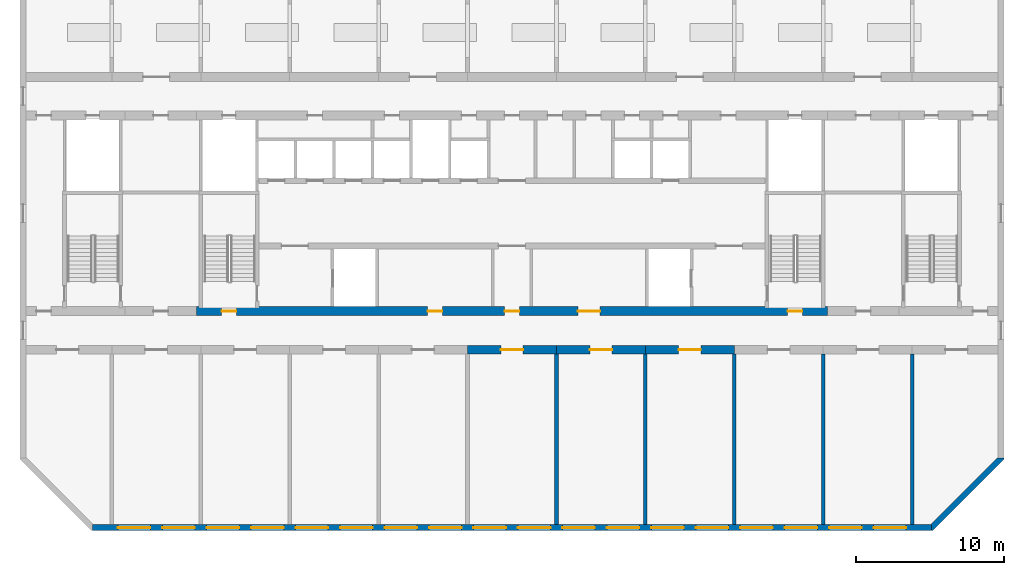
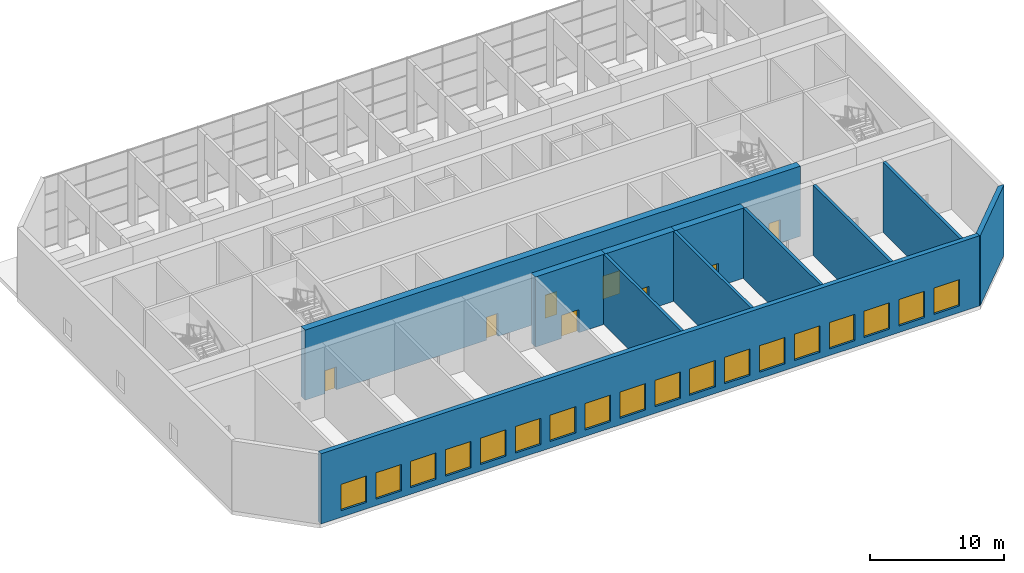
# One storey, part 7 of 13: 18 windows, 11 walls, 8 doors, 26 openings.
"""IFC4 building model written with IfcOpenShell, lengths in metres."""

from ifc_helpers import new_model, si_unit, direction, frame, frame_2d, origin, place, context, subcontext, project, spatial, polyline, rectangle, outline, extrude, material, layer, layer_set, type_object, element, fill, save


model = new_model("IFC4")

# Units and contexts
model_context = context("Model", 3, precision=1e-05, world=origin(), true_north=direction((0.0, 1.0)))
body_context = subcontext(model_context, "Body", "Model", "MODEL_VIEW")
ifc_project = project(units=[si_unit("LENGTHUNIT", "METRE"), si_unit("AREAUNIT", "SQUARE_METRE"), si_unit("VOLUMEUNIT", "CUBIC_METRE"), si_unit("PLANEANGLEUNIT", "RADIAN"), si_unit("MASSUNIT", "GRAM", prefix="KILO")], contexts=[model_context])

# Site, building, storey
site_placement = place(None, origin())
site = spatial("IfcSite", under=ifc_project, at=site_placement, CompositionType="ELEMENT")
building_placement = place(site_placement, origin())
building = spatial("IfcBuilding", under=site, at=building_placement, Name="Poui Terraces", CompositionType="ELEMENT")
storey_placement = place(building_placement, frame((0.0, 0.0, 214.800048828125)))
storey = spatial("IfcBuildingStorey", under=building, at=storey_placement, Name="L60", CompositionType="ELEMENT", Elevation=214.800048828125)

# Wall, opening, door
ifc_material_1 = material(Name="Concrete 50 MPa", Category="concrete")
ifc_layer_1 = layer(ifc_material_1, 0.60009765625)
ifc_layer_set_1 = layer_set([ifc_layer_1], Name="Concrete 50 MPa")
wall_type_1 = type_object("IfcWallType", Name="BELT WALL 600 50MPa", PredefinedType="SHEAR", material=ifc_layer_set_1)
wall_1_placement = place(storey_placement, frame((48.0, 12.0, 0.0), z_axis=(0.0, 0.0, 1.0), x_axis=(1.0, 0.0, 0.0)))
wall_1 = element("IfcWall", 1, at=wall_1_placement, inside=storey, type_object=wall_type_1, Name="BELT WALL LINE B BAY 6", PredefinedType="SHEAR", context=body_context, shape_type="SweptSolid", body=[
    extrude(rectangle(XDim=6.0, YDim=0.60009765625, at=frame_2d((3.0, 0.0))), origin(), (0.0, 0.0, 1.0), 6.3798828125),
])
opening_1_placement = place(wall_1_placement, frame((2.25, 0.0, 0.0)))
opening_1 = element("IfcOpeningElement", 2, at=opening_1_placement, cuts=wall_1, Name="Opening FDP", PredefinedType="OPENING", context=body_context, shape_type="SweptSolid", body=[
    extrude(rectangle(XDim=1.5, YDim=2.10009765625, at=frame_2d((0.75, 1.050048828125))), frame((0.0, 0.31005859375, 0.0), z_axis=(0.0, -1.0, 0.0), x_axis=(1.0, 0.0, 0.0)), (0.0, 0.0, 1.0), 0.6201171875),
])
ifc_material_2 = material(Name="Steel fire door", Category="steel")
door_type_1 = type_object("IfcDoorType", Name="PLANT ROOM DOOR PAIR 1500 X 2100", OperationType="DOUBLE_DOOR_SINGLE_SWING", PredefinedType="DOOR", material=ifc_material_2)
door_1_placement = place(opening_1_placement, origin())
door_1 = element("IfcDoor", 3, at=door_1_placement, inside=storey, type_object=door_type_1, Name="PLANT ROOM DOOR PAIR 031", OperationType="DOUBLE_DOOR_SINGLE_SWING", OverallHeight=2.10009765625, OverallWidth=1.5, PredefinedType="DOOR", context=body_context, shape_type="SweptSolid", body=[
    extrude(rectangle(XDim=1.5, YDim=2.10009765625, at=frame_2d((0.75, 1.050048828125))), frame((0.0, 0.02490234375, 0.0), z_axis=(0.0, -1.0, 0.0), x_axis=(1.0, 0.0, 0.0)), (0.0, 0.0, 1.0), 0.050048828125),
])
fill(opening_1, door_1)

wall_2_placement = place(storey_placement, frame((54.0, 12.0, 0.0), z_axis=(0.0, 0.0, 1.0), x_axis=(1.0, 0.0, 0.0)))
wall_2 = element("IfcWall", 4, at=wall_2_placement, inside=storey, type_object=wall_type_1, Name="BELT WALL LINE B BAY 7", PredefinedType="SHEAR", context=body_context, shape_type="SweptSolid", body=[
    extrude(rectangle(XDim=6.0, YDim=0.60009765625, at=frame_2d((3.0, 0.0))), origin(), (0.0, 0.0, 1.0), 6.3798828125),
])
opening_2_placement = place(wall_2_placement, frame((2.25, 0.0, 0.0)))
opening_2 = element("IfcOpeningElement", 5, at=opening_2_placement, cuts=wall_2, Name="Opening FDP", PredefinedType="OPENING", context=body_context, shape_type="SweptSolid", body=[
    extrude(rectangle(XDim=1.5, YDim=2.10009765625, at=frame_2d((0.75, 1.050048828125))), frame((0.0, 0.31005859375, 0.0), z_axis=(0.0, -1.0, 0.0), x_axis=(1.0, 0.0, 0.0)), (0.0, 0.0, 1.0), 0.6201171875),
])
door_2_placement = place(opening_2_placement, origin())
door_2 = element("IfcDoor", 6, at=door_2_placement, inside=storey, type_object=door_type_1, Name="PLANT ROOM DOOR PAIR 034", OperationType="DOUBLE_DOOR_SINGLE_SWING", OverallHeight=2.10009765625, OverallWidth=1.5, PredefinedType="DOOR", context=body_context, shape_type="SweptSolid", body=[
    extrude(rectangle(XDim=1.5, YDim=2.10009765625, at=frame_2d((0.75, 1.050048828125))), frame((0.0, 0.02490234375, 0.0), z_axis=(0.0, -1.0, 0.0), x_axis=(1.0, 0.0, 0.0)), (0.0, 0.0, 1.0), 0.050048828125),
])
fill(opening_2, door_2)

wall_3_placement = place(storey_placement, frame((60.0, 12.0, 0.0), z_axis=(0.0, 0.0, 1.0), x_axis=(1.0, 0.0, 0.0)))
wall_3 = element("IfcWall", 7, at=wall_3_placement, inside=storey, type_object=wall_type_1, Name="BELT WALL LINE B BAY 8", PredefinedType="SHEAR", context=body_context, shape_type="SweptSolid", body=[
    extrude(rectangle(XDim=6.0, YDim=0.60009765625, at=frame_2d((3.0, 0.0))), origin(), (0.0, 0.0, 1.0), 6.3798828125),
])
opening_3_placement = place(wall_3_placement, frame((2.25, 0.0, 0.0)))
opening_3 = element("IfcOpeningElement", 8, at=opening_3_placement, cuts=wall_3, Name="Opening FDP", PredefinedType="OPENING", context=body_context, shape_type="SweptSolid", body=[
    extrude(rectangle(XDim=1.5, YDim=2.10009765625, at=frame_2d((0.75, 1.050048828125))), frame((0.0, 0.31005859375, 0.0), z_axis=(0.0, -1.0, 0.0), x_axis=(1.0, 0.0, 0.0)), (0.0, 0.0, 1.0), 0.6201171875),
])
door_3_placement = place(opening_3_placement, origin())
door_3 = element("IfcDoor", 9, at=door_3_placement, inside=storey, type_object=door_type_1, Name="PLANT ROOM DOOR PAIR 035", OperationType="DOUBLE_DOOR_SINGLE_SWING", OverallHeight=2.10009765625, OverallWidth=1.5, PredefinedType="DOOR", context=body_context, shape_type="SweptSolid", body=[
    extrude(rectangle(XDim=1.5, YDim=2.10009765625, at=frame_2d((0.75, 1.050048828125))), frame((0.0, 0.02490234375, 0.0), z_axis=(0.0, -1.0, 0.0), x_axis=(1.0, 0.0, 0.0)), (0.0, 0.0, 1.0), 0.050048828125),
])
fill(opening_3, door_3)

# Walls
ifc_layer_2 = layer(ifc_material_1, 0.25)
ifc_layer_set_2 = layer_set([ifc_layer_2], Name="Concrete 50 MPa")
wall_type_2 = type_object("IfcWallType", Name="CROSS WALL 250 50MPa", PredefinedType="SHEAR", material=ifc_layer_set_2)
for number, where, z_axis, x_axis, name in (
    (10, (54.0, 0.199951171875, 0.0), (0.0, 0.0, 1.0), (0.0, 1.0, 0.0), "CROSS WALL LINE 10 SOUTH"),
    (11, (60.0, 0.199951171875, 0.0), (0.0, 0.0, 1.0), (0.0, 1.0, 0.0), "CROSS WALL LINE 11 SOUTH"),
    (12, (66.0, 0.199951171875, 0.0), (0.0, 0.0, 1.0), (0.0, 1.0, 0.0), "CROSS WALL LINE 12 SOUTH"),
    (13, (72.0, 0.199951171875, 0.0), (0.0, 0.0, 1.0), (0.0, 1.0, 0.0), "CROSS WALL LINE 13 SOUTH"),
    (14, (78.0, 0.199951171875, 0.0), (0.0, 0.0, 1.0), (0.0, 1.0, 0.0), "CROSS WALL LINE 14 SOUTH"),
):
    element("IfcWall", number, at=place(storey_placement, frame(where, z_axis=z_axis, x_axis=x_axis)), inside=storey, type_object=wall_type_2, Name=name, PredefinedType="SHEAR", context=body_context, shape_type="SweptSolid", body=[
        extrude(rectangle(XDim=11.5, YDim=0.25, at=frame_2d((5.75, 0.0))), origin(), (0.0, 0.0, 1.0), 6.3798828125),
    ])

# Wall, openings, windows
ifc_material_3 = material(Name="Precast concrete 40 MPa", Category="concrete")
ifc_layer_3 = layer(ifc_material_3, 0.39990234375)
ifc_layer_set_3 = layer_set([ifc_layer_3], Name="Precast concrete 40 MPa")
wall_type_3 = type_object("IfcWallType", Name="EXTERNAL WALL 400", PredefinedType="STANDARD", material=ifc_layer_set_3)
wall_4_placement = place(storey_placement, frame((22.682861328125, 0.0, 0.0), z_axis=(0.0, 0.0, 1.0), x_axis=(1.0, 0.0, 0.0)))
wall_4 = element("IfcWall", 15, at=wall_4_placement, inside=storey, type_object=wall_type_3, Name="EXTERNAL WALL S", PredefinedType="STANDARD", context=body_context, shape_type="SweptSolid", body=[
    extrude(rectangle(XDim=56.63427734375, YDim=0.39990234375, at=frame_2d((28.317138671875, 0.0))), origin(), (0.0, 0.0, 1.0), 6.3798828125),
])
opening_4_placement = place(wall_4_placement, frame((1.71728515625, 0.0, 0.60009765625)))
opening_4 = element("IfcOpeningElement", 16, at=opening_4_placement, cuts=wall_4, Name="Opening W5", PredefinedType="OPENING", context=body_context, shape_type="SweptSolid", body=[
    extrude(rectangle(XDim=2.199951171875, YDim=2.39990234375, at=frame_2d((1.10009765625, 1.199951171875))), frame((0.0, 0.2099609375, 0.0), z_axis=(0.0, -1.0, 0.0), x_axis=(1.0, 0.0, 0.0)), (0.0, 0.0, 1.0), 0.419921875),
])
opening_5_placement = place(wall_4_placement, frame((4.71728515625, 0.0, 0.60009765625)))
opening_5 = element("IfcOpeningElement", 17, at=opening_5_placement, cuts=wall_4, Name="Opening W5", PredefinedType="OPENING", context=body_context, shape_type="SweptSolid", body=[
    extrude(rectangle(XDim=2.199951171875, YDim=2.39990234375, at=frame_2d((1.10009765625, 1.199951171875))), frame((0.0, 0.2099609375, 0.0), z_axis=(0.0, -1.0, 0.0), x_axis=(1.0, 0.0, 0.0)), (0.0, 0.0, 1.0), 0.419921875),
])
opening_6_placement = place(wall_4_placement, frame((7.71728515625, 0.0, 0.60009765625)))
opening_6 = element("IfcOpeningElement", 18, at=opening_6_placement, cuts=wall_4, Name="Opening W5", PredefinedType="OPENING", context=body_context, shape_type="SweptSolid", body=[
    extrude(rectangle(XDim=2.199951171875, YDim=2.39990234375, at=frame_2d((1.10009765625, 1.199951171875))), frame((0.0, 0.2099609375, 0.0), z_axis=(0.0, -1.0, 0.0), x_axis=(1.0, 0.0, 0.0)), (0.0, 0.0, 1.0), 0.419921875),
])
opening_7_placement = place(wall_4_placement, frame((10.71728515625, 0.0, 0.60009765625)))
opening_7 = element("IfcOpeningElement", 19, at=opening_7_placement, cuts=wall_4, Name="Opening W5", PredefinedType="OPENING", context=body_context, shape_type="SweptSolid", body=[
    extrude(rectangle(XDim=2.199951171875, YDim=2.39990234375, at=frame_2d((1.10009765625, 1.199951171875))), frame((0.0, 0.2099609375, 0.0), z_axis=(0.0, -1.0, 0.0), x_axis=(1.0, 0.0, 0.0)), (0.0, 0.0, 1.0), 0.419921875),
])
opening_8_placement = place(wall_4_placement, frame((13.71728515625, 0.0, 0.60009765625)))
opening_8 = element("IfcOpeningElement", 20, at=opening_8_placement, cuts=wall_4, Name="Opening W5", PredefinedType="OPENING", context=body_context, shape_type="SweptSolid", body=[
    extrude(rectangle(XDim=2.199951171875, YDim=2.39990234375, at=frame_2d((1.10009765625, 1.199951171875))), frame((0.0, 0.2099609375, 0.0), z_axis=(0.0, -1.0, 0.0), x_axis=(1.0, 0.0, 0.0)), (0.0, 0.0, 1.0), 0.419921875),
])
opening_9_placement = place(wall_4_placement, frame((16.71728515625, 0.0, 0.60009765625)))
opening_9 = element("IfcOpeningElement", 21, at=opening_9_placement, cuts=wall_4, Name="Opening W5", PredefinedType="OPENING", context=body_context, shape_type="SweptSolid", body=[
    extrude(rectangle(XDim=2.199951171875, YDim=2.39990234375, at=frame_2d((1.10009765625, 1.199951171875))), frame((0.0, 0.2099609375, 0.0), z_axis=(0.0, -1.0, 0.0), x_axis=(1.0, 0.0, 0.0)), (0.0, 0.0, 1.0), 0.419921875),
])
opening_10_placement = place(wall_4_placement, frame((19.71728515625, 0.0, 0.60009765625)))
opening_10 = element("IfcOpeningElement", 22, at=opening_10_placement, cuts=wall_4, Name="Opening W5", PredefinedType="OPENING", context=body_context, shape_type="SweptSolid", body=[
    extrude(rectangle(XDim=2.199951171875, YDim=2.39990234375, at=frame_2d((1.10009765625, 1.199951171875))), frame((0.0, 0.2099609375, 0.0), z_axis=(0.0, -1.0, 0.0), x_axis=(1.0, 0.0, 0.0)), (0.0, 0.0, 1.0), 0.419921875),
])
opening_11_placement = place(wall_4_placement, frame((22.71728515625, 0.0, 0.60009765625)))
opening_11 = element("IfcOpeningElement", 23, at=opening_11_placement, cuts=wall_4, Name="Opening W5", PredefinedType="OPENING", context=body_context, shape_type="SweptSolid", body=[
    extrude(rectangle(XDim=2.199951171875, YDim=2.39990234375, at=frame_2d((1.10009765625, 1.199951171875))), frame((0.0, 0.2099609375, 0.0), z_axis=(0.0, -1.0, 0.0), x_axis=(1.0, 0.0, 0.0)), (0.0, 0.0, 1.0), 0.419921875),
])
opening_12_placement = place(wall_4_placement, frame((25.71728515625, 0.0, 0.60009765625)))
opening_12 = element("IfcOpeningElement", 24, at=opening_12_placement, cuts=wall_4, Name="Opening W5", PredefinedType="OPENING", context=body_context, shape_type="SweptSolid", body=[
    extrude(rectangle(XDim=2.199951171875, YDim=2.39990234375, at=frame_2d((1.10009765625, 1.199951171875))), frame((0.0, 0.2099609375, 0.0), z_axis=(0.0, -1.0, 0.0), x_axis=(1.0, 0.0, 0.0)), (0.0, 0.0, 1.0), 0.419921875),
])
opening_13_placement = place(wall_4_placement, frame((28.71728515625, 0.0, 0.60009765625)))
opening_13 = element("IfcOpeningElement", 25, at=opening_13_placement, cuts=wall_4, Name="Opening W5", PredefinedType="OPENING", context=body_context, shape_type="SweptSolid", body=[
    extrude(rectangle(XDim=2.199951171875, YDim=2.39990234375, at=frame_2d((1.10009765625, 1.199951171875))), frame((0.0, 0.2099609375, 0.0), z_axis=(0.0, -1.0, 0.0), x_axis=(1.0, 0.0, 0.0)), (0.0, 0.0, 1.0), 0.419921875),
])
opening_14_placement = place(wall_4_placement, frame((31.71728515625, 0.0, 0.60009765625)))
opening_14 = element("IfcOpeningElement", 26, at=opening_14_placement, cuts=wall_4, Name="Opening W5", PredefinedType="OPENING", context=body_context, shape_type="SweptSolid", body=[
    extrude(rectangle(XDim=2.199951171875, YDim=2.39990234375, at=frame_2d((1.10009765625, 1.199951171875))), frame((0.0, 0.2099609375, 0.0), z_axis=(0.0, -1.0, 0.0), x_axis=(1.0, 0.0, 0.0)), (0.0, 0.0, 1.0), 0.419921875),
])
opening_15_placement = place(wall_4_placement, frame((34.71728515625, 0.0, 0.60009765625)))
opening_15 = element("IfcOpeningElement", 27, at=opening_15_placement, cuts=wall_4, Name="Opening W5", PredefinedType="OPENING", context=body_context, shape_type="SweptSolid", body=[
    extrude(rectangle(XDim=2.199951171875, YDim=2.39990234375, at=frame_2d((1.10009765625, 1.199951171875))), frame((0.0, 0.2099609375, 0.0), z_axis=(0.0, -1.0, 0.0), x_axis=(1.0, 0.0, 0.0)), (0.0, 0.0, 1.0), 0.419921875),
])
opening_16_placement = place(wall_4_placement, frame((37.71728515625, 0.0, 0.60009765625)))
opening_16 = element("IfcOpeningElement", 28, at=opening_16_placement, cuts=wall_4, Name="Opening W5", PredefinedType="OPENING", context=body_context, shape_type="SweptSolid", body=[
    extrude(rectangle(XDim=2.199951171875, YDim=2.39990234375, at=frame_2d((1.10009765625, 1.199951171875))), frame((0.0, 0.2099609375, 0.0), z_axis=(0.0, -1.0, 0.0), x_axis=(1.0, 0.0, 0.0)), (0.0, 0.0, 1.0), 0.419921875),
])
opening_17_placement = place(wall_4_placement, frame((40.71728515625, 0.0, 0.60009765625)))
opening_17 = element("IfcOpeningElement", 29, at=opening_17_placement, cuts=wall_4, Name="Opening W5", PredefinedType="OPENING", context=body_context, shape_type="SweptSolid", body=[
    extrude(rectangle(XDim=2.199951171875, YDim=2.39990234375, at=frame_2d((1.10009765625, 1.199951171875))), frame((0.0, 0.2099609375, 0.0), z_axis=(0.0, -1.0, 0.0), x_axis=(1.0, 0.0, 0.0)), (0.0, 0.0, 1.0), 0.419921875),
])
opening_18_placement = place(wall_4_placement, frame((43.71728515625, 0.0, 0.60009765625)))
opening_18 = element("IfcOpeningElement", 30, at=opening_18_placement, cuts=wall_4, Name="Opening W5", PredefinedType="OPENING", context=body_context, shape_type="SweptSolid", body=[
    extrude(rectangle(XDim=2.199951171875, YDim=2.39990234375, at=frame_2d((1.10009765625, 1.199951171875))), frame((0.0, 0.2099609375, 0.0), z_axis=(0.0, -1.0, 0.0), x_axis=(1.0, 0.0, 0.0)), (0.0, 0.0, 1.0), 0.419921875),
])
opening_19_placement = place(wall_4_placement, frame((46.71728515625, 0.0, 0.60009765625)))
opening_19 = element("IfcOpeningElement", 31, at=opening_19_placement, cuts=wall_4, Name="Opening W5", PredefinedType="OPENING", context=body_context, shape_type="SweptSolid", body=[
    extrude(rectangle(XDim=2.199951171875, YDim=2.39990234375, at=frame_2d((1.10009765625, 1.199951171875))), frame((0.0, 0.2099609375, 0.0), z_axis=(0.0, -1.0, 0.0), x_axis=(1.0, 0.0, 0.0)), (0.0, 0.0, 1.0), 0.419921875),
])
opening_20_placement = place(wall_4_placement, frame((49.71728515625, 0.0, 0.60009765625)))
opening_20 = element("IfcOpeningElement", 32, at=opening_20_placement, cuts=wall_4, Name="Opening W5", PredefinedType="OPENING", context=body_context, shape_type="SweptSolid", body=[
    extrude(rectangle(XDim=2.199951171875, YDim=2.39990234375, at=frame_2d((1.10009765625, 1.199951171875))), frame((0.0, 0.2099609375, 0.0), z_axis=(0.0, -1.0, 0.0), x_axis=(1.0, 0.0, 0.0)), (0.0, 0.0, 1.0), 0.419921875),
])
opening_21_placement = place(wall_4_placement, frame((52.71728515625, 0.0, 0.60009765625)))
opening_21 = element("IfcOpeningElement", 33, at=opening_21_placement, cuts=wall_4, Name="Opening W5", PredefinedType="OPENING", context=body_context, shape_type="SweptSolid", body=[
    extrude(rectangle(XDim=2.199951171875, YDim=2.39990234375, at=frame_2d((1.10009765625, 1.199951171875))), frame((0.0, 0.2099609375, 0.0), z_axis=(0.0, -1.0, 0.0), x_axis=(1.0, 0.0, 0.0)), (0.0, 0.0, 1.0), 0.419921875),
])
ifc_material_4 = material(Name="Clear glass in aluminium frame", Category="aluminium")
window_type = type_object("IfcWindowType", Name="WINDOW 2200X2400", PartitioningType="TRIPLE_PANEL_HORIZONTAL", PredefinedType="WINDOW", material=ifc_material_4)
window_1_placement = place(opening_4_placement, origin())
window_1 = element("IfcWindow", 34, at=window_1_placement, inside=storey, type_object=window_type, Name="W5 WINDOW", OverallHeight=2.39990234375, OverallWidth=2.199951171875, PartitioningType="TRIPLE_PANEL_HORIZONTAL", PredefinedType="WINDOW", context=body_context, shape_type="SweptSolid", body=[
    extrude(rectangle(XDim=2.199951171875, YDim=2.39990234375, at=frame_2d((1.10009765625, 1.199951171875))), frame((0.0, 0.030029296875, 0.0), z_axis=(0.0, -1.0, 0.0), x_axis=(1.0, 0.0, 0.0)), (0.0, 0.0, 1.0), 0.06005859375),
])
fill(opening_4, window_1)
window_2_placement = place(opening_5_placement, origin())
window_2 = element("IfcWindow", 35, at=window_2_placement, inside=storey, type_object=window_type, Name="W5 WINDOW", OverallHeight=2.39990234375, OverallWidth=2.199951171875, PartitioningType="TRIPLE_PANEL_HORIZONTAL", PredefinedType="WINDOW", context=body_context, shape_type="SweptSolid", body=[
    extrude(rectangle(XDim=2.199951171875, YDim=2.39990234375, at=frame_2d((1.10009765625, 1.199951171875))), frame((0.0, 0.030029296875, 0.0), z_axis=(0.0, -1.0, 0.0), x_axis=(1.0, 0.0, 0.0)), (0.0, 0.0, 1.0), 0.06005859375),
])
fill(opening_5, window_2)
window_3_placement = place(opening_6_placement, origin())
window_3 = element("IfcWindow", 36, at=window_3_placement, inside=storey, type_object=window_type, Name="W5 WINDOW", OverallHeight=2.39990234375, OverallWidth=2.199951171875, PartitioningType="TRIPLE_PANEL_HORIZONTAL", PredefinedType="WINDOW", context=body_context, shape_type="SweptSolid", body=[
    extrude(rectangle(XDim=2.199951171875, YDim=2.39990234375, at=frame_2d((1.10009765625, 1.199951171875))), frame((0.0, 0.030029296875, 0.0), z_axis=(0.0, -1.0, 0.0), x_axis=(1.0, 0.0, 0.0)), (0.0, 0.0, 1.0), 0.06005859375),
])
fill(opening_6, window_3)
window_4_placement = place(opening_7_placement, origin())
window_4 = element("IfcWindow", 37, at=window_4_placement, inside=storey, type_object=window_type, Name="W5 WINDOW", OverallHeight=2.39990234375, OverallWidth=2.199951171875, PartitioningType="TRIPLE_PANEL_HORIZONTAL", PredefinedType="WINDOW", context=body_context, shape_type="SweptSolid", body=[
    extrude(rectangle(XDim=2.199951171875, YDim=2.39990234375, at=frame_2d((1.10009765625, 1.199951171875))), frame((0.0, 0.030029296875, 0.0), z_axis=(0.0, -1.0, 0.0), x_axis=(1.0, 0.0, 0.0)), (0.0, 0.0, 1.0), 0.06005859375),
])
fill(opening_7, window_4)
window_5_placement = place(opening_8_placement, origin())
window_5 = element("IfcWindow", 38, at=window_5_placement, inside=storey, type_object=window_type, Name="W5 WINDOW", OverallHeight=2.39990234375, OverallWidth=2.199951171875, PartitioningType="TRIPLE_PANEL_HORIZONTAL", PredefinedType="WINDOW", context=body_context, shape_type="SweptSolid", body=[
    extrude(rectangle(XDim=2.199951171875, YDim=2.39990234375, at=frame_2d((1.10009765625, 1.199951171875))), frame((0.0, 0.030029296875, 0.0), z_axis=(0.0, -1.0, 0.0), x_axis=(1.0, 0.0, 0.0)), (0.0, 0.0, 1.0), 0.06005859375),
])
fill(opening_8, window_5)
window_6_placement = place(opening_9_placement, origin())
window_6 = element("IfcWindow", 39, at=window_6_placement, inside=storey, type_object=window_type, Name="W5 WINDOW", OverallHeight=2.39990234375, OverallWidth=2.199951171875, PartitioningType="TRIPLE_PANEL_HORIZONTAL", PredefinedType="WINDOW", context=body_context, shape_type="SweptSolid", body=[
    extrude(rectangle(XDim=2.199951171875, YDim=2.39990234375, at=frame_2d((1.10009765625, 1.199951171875))), frame((0.0, 0.030029296875, 0.0), z_axis=(0.0, -1.0, 0.0), x_axis=(1.0, 0.0, 0.0)), (0.0, 0.0, 1.0), 0.06005859375),
])
fill(opening_9, window_6)
window_7_placement = place(opening_10_placement, origin())
window_7 = element("IfcWindow", 40, at=window_7_placement, inside=storey, type_object=window_type, Name="W5 WINDOW", OverallHeight=2.39990234375, OverallWidth=2.199951171875, PartitioningType="TRIPLE_PANEL_HORIZONTAL", PredefinedType="WINDOW", context=body_context, shape_type="SweptSolid", body=[
    extrude(rectangle(XDim=2.199951171875, YDim=2.39990234375, at=frame_2d((1.10009765625, 1.199951171875))), frame((0.0, 0.030029296875, 0.0), z_axis=(0.0, -1.0, 0.0), x_axis=(1.0, 0.0, 0.0)), (0.0, 0.0, 1.0), 0.06005859375),
])
fill(opening_10, window_7)
window_8_placement = place(opening_11_placement, origin())
window_8 = element("IfcWindow", 41, at=window_8_placement, inside=storey, type_object=window_type, Name="W5 WINDOW", OverallHeight=2.39990234375, OverallWidth=2.199951171875, PartitioningType="TRIPLE_PANEL_HORIZONTAL", PredefinedType="WINDOW", context=body_context, shape_type="SweptSolid", body=[
    extrude(rectangle(XDim=2.199951171875, YDim=2.39990234375, at=frame_2d((1.10009765625, 1.199951171875))), frame((0.0, 0.030029296875, 0.0), z_axis=(0.0, -1.0, 0.0), x_axis=(1.0, 0.0, 0.0)), (0.0, 0.0, 1.0), 0.06005859375),
])
fill(opening_11, window_8)
window_9_placement = place(opening_12_placement, origin())
window_9 = element("IfcWindow", 42, at=window_9_placement, inside=storey, type_object=window_type, Name="W5 WINDOW", OverallHeight=2.39990234375, OverallWidth=2.199951171875, PartitioningType="TRIPLE_PANEL_HORIZONTAL", PredefinedType="WINDOW", context=body_context, shape_type="SweptSolid", body=[
    extrude(rectangle(XDim=2.199951171875, YDim=2.39990234375, at=frame_2d((1.10009765625, 1.199951171875))), frame((0.0, 0.030029296875, 0.0), z_axis=(0.0, -1.0, 0.0), x_axis=(1.0, 0.0, 0.0)), (0.0, 0.0, 1.0), 0.06005859375),
])
fill(opening_12, window_9)
window_10_placement = place(opening_13_placement, origin())
window_10 = element("IfcWindow", 43, at=window_10_placement, inside=storey, type_object=window_type, Name="W5 WINDOW", OverallHeight=2.39990234375, OverallWidth=2.199951171875, PartitioningType="TRIPLE_PANEL_HORIZONTAL", PredefinedType="WINDOW", context=body_context, shape_type="SweptSolid", body=[
    extrude(rectangle(XDim=2.199951171875, YDim=2.39990234375, at=frame_2d((1.10009765625, 1.199951171875))), frame((0.0, 0.030029296875, 0.0), z_axis=(0.0, -1.0, 0.0), x_axis=(1.0, 0.0, 0.0)), (0.0, 0.0, 1.0), 0.06005859375),
])
fill(opening_13, window_10)
window_11_placement = place(opening_14_placement, origin())
window_11 = element("IfcWindow", 44, at=window_11_placement, inside=storey, type_object=window_type, Name="W5 WINDOW", OverallHeight=2.39990234375, OverallWidth=2.199951171875, PartitioningType="TRIPLE_PANEL_HORIZONTAL", PredefinedType="WINDOW", context=body_context, shape_type="SweptSolid", body=[
    extrude(rectangle(XDim=2.199951171875, YDim=2.39990234375, at=frame_2d((1.10009765625, 1.199951171875))), frame((0.0, 0.030029296875, 0.0), z_axis=(0.0, -1.0, 0.0), x_axis=(1.0, 0.0, 0.0)), (0.0, 0.0, 1.0), 0.06005859375),
])
fill(opening_14, window_11)
window_12_placement = place(opening_15_placement, origin())
window_12 = element("IfcWindow", 45, at=window_12_placement, inside=storey, type_object=window_type, Name="W5 WINDOW", OverallHeight=2.39990234375, OverallWidth=2.199951171875, PartitioningType="TRIPLE_PANEL_HORIZONTAL", PredefinedType="WINDOW", context=body_context, shape_type="SweptSolid", body=[
    extrude(rectangle(XDim=2.199951171875, YDim=2.39990234375, at=frame_2d((1.10009765625, 1.199951171875))), frame((0.0, 0.030029296875, 0.0), z_axis=(0.0, -1.0, 0.0), x_axis=(1.0, 0.0, 0.0)), (0.0, 0.0, 1.0), 0.06005859375),
])
fill(opening_15, window_12)
window_13_placement = place(opening_16_placement, origin())
window_13 = element("IfcWindow", 46, at=window_13_placement, inside=storey, type_object=window_type, Name="W5 WINDOW", OverallHeight=2.39990234375, OverallWidth=2.199951171875, PartitioningType="TRIPLE_PANEL_HORIZONTAL", PredefinedType="WINDOW", context=body_context, shape_type="SweptSolid", body=[
    extrude(rectangle(XDim=2.199951171875, YDim=2.39990234375, at=frame_2d((1.10009765625, 1.199951171875))), frame((0.0, 0.030029296875, 0.0), z_axis=(0.0, -1.0, 0.0), x_axis=(1.0, 0.0, 0.0)), (0.0, 0.0, 1.0), 0.06005859375),
])
fill(opening_16, window_13)
window_14_placement = place(opening_17_placement, origin())
window_14 = element("IfcWindow", 47, at=window_14_placement, inside=storey, type_object=window_type, Name="W5 WINDOW", OverallHeight=2.39990234375, OverallWidth=2.199951171875, PartitioningType="TRIPLE_PANEL_HORIZONTAL", PredefinedType="WINDOW", context=body_context, shape_type="SweptSolid", body=[
    extrude(rectangle(XDim=2.199951171875, YDim=2.39990234375, at=frame_2d((1.10009765625, 1.199951171875))), frame((0.0, 0.030029296875, 0.0), z_axis=(0.0, -1.0, 0.0), x_axis=(1.0, 0.0, 0.0)), (0.0, 0.0, 1.0), 0.06005859375),
])
fill(opening_17, window_14)
window_15_placement = place(opening_18_placement, origin())
window_15 = element("IfcWindow", 48, at=window_15_placement, inside=storey, type_object=window_type, Name="W5 WINDOW", OverallHeight=2.39990234375, OverallWidth=2.199951171875, PartitioningType="TRIPLE_PANEL_HORIZONTAL", PredefinedType="WINDOW", context=body_context, shape_type="SweptSolid", body=[
    extrude(rectangle(XDim=2.199951171875, YDim=2.39990234375, at=frame_2d((1.10009765625, 1.199951171875))), frame((0.0, 0.030029296875, 0.0), z_axis=(0.0, -1.0, 0.0), x_axis=(1.0, 0.0, 0.0)), (0.0, 0.0, 1.0), 0.06005859375),
])
fill(opening_18, window_15)
window_16_placement = place(opening_19_placement, origin())
window_16 = element("IfcWindow", 49, at=window_16_placement, inside=storey, type_object=window_type, Name="W5 WINDOW", OverallHeight=2.39990234375, OverallWidth=2.199951171875, PartitioningType="TRIPLE_PANEL_HORIZONTAL", PredefinedType="WINDOW", context=body_context, shape_type="SweptSolid", body=[
    extrude(rectangle(XDim=2.199951171875, YDim=2.39990234375, at=frame_2d((1.10009765625, 1.199951171875))), frame((0.0, 0.030029296875, 0.0), z_axis=(0.0, -1.0, 0.0), x_axis=(1.0, 0.0, 0.0)), (0.0, 0.0, 1.0), 0.06005859375),
])
fill(opening_19, window_16)
window_17_placement = place(opening_20_placement, origin())
window_17 = element("IfcWindow", 50, at=window_17_placement, inside=storey, type_object=window_type, Name="W5 WINDOW", OverallHeight=2.39990234375, OverallWidth=2.199951171875, PartitioningType="TRIPLE_PANEL_HORIZONTAL", PredefinedType="WINDOW", context=body_context, shape_type="SweptSolid", body=[
    extrude(rectangle(XDim=2.199951171875, YDim=2.39990234375, at=frame_2d((1.10009765625, 1.199951171875))), frame((0.0, 0.030029296875, 0.0), z_axis=(0.0, -1.0, 0.0), x_axis=(1.0, 0.0, 0.0)), (0.0, 0.0, 1.0), 0.06005859375),
])
fill(opening_20, window_17)
window_18_placement = place(opening_21_placement, origin())
window_18 = element("IfcWindow", 51, at=window_18_placement, inside=storey, type_object=window_type, Name="W5 WINDOW", OverallHeight=2.39990234375, OverallWidth=2.199951171875, PartitioningType="TRIPLE_PANEL_HORIZONTAL", PredefinedType="WINDOW", context=body_context, shape_type="SweptSolid", body=[
    extrude(rectangle(XDim=2.199951171875, YDim=2.39990234375, at=frame_2d((1.10009765625, 1.199951171875))), frame((0.0, 0.030029296875, 0.0), z_axis=(0.0, -1.0, 0.0), x_axis=(1.0, 0.0, 0.0)), (0.0, 0.0, 1.0), 0.06005859375),
])
fill(opening_21, window_18)

# Wall, openings, doors
ifc_layer_4 = layer(ifc_material_1, 0.60009765625)
ifc_layer_set_4 = layer_set([ifc_layer_4], Name="Concrete 50 MPa")
wall_type_4 = type_object("IfcWallType", Name="SPINE WALL 600 50 MPA", PredefinedType="SOLIDWALL", material=ifc_layer_set_4)
wall_5_placement = place(storey_placement, frame((29.699951171875, 14.60009765625, 0.0), z_axis=(0.0, 0.0, 1.0), x_axis=(1.0, 0.0, 0.0)))
wall_5 = element("IfcWall", 52, at=wall_5_placement, inside=storey, type_object=wall_type_4, Name="SPINE WALL", PredefinedType="SOLIDWALL", context=body_context, shape_type="SweptSolid", body=[
    extrude(rectangle(XDim=42.60009765625, YDim=0.60009765625, at=frame_2d((21.300048828125, 0.0))), origin(), (0.0, 0.0, 1.0), 6.3798828125),
])
opening_22_placement = place(wall_5_placement, frame((1.699951171875, 0.0, 0.0)))
opening_22 = element("IfcOpeningElement", 53, at=opening_22_placement, cuts=wall_5, Name="Opening FD60S", PredefinedType="OPENING", context=body_context, shape_type="SweptSolid", body=[
    extrude(rectangle(XDim=1.0, YDim=2.10009765625, at=frame_2d((0.5, 1.050048828125))), frame((0.0, 0.31005859375, 0.0), z_axis=(0.0, -1.0, 0.0), x_axis=(1.0, 0.0, 0.0)), (0.0, 0.0, 1.0), 0.6201171875),
])
opening_23_placement = place(wall_5_placement, frame((15.60009765625, 0.0, 0.0)))
opening_23 = element("IfcOpeningElement", 54, at=opening_23_placement, cuts=wall_5, Name="Opening FD60", PredefinedType="OPENING", context=body_context, shape_type="SweptSolid", body=[
    extrude(rectangle(XDim=1.0, YDim=2.10009765625, at=frame_2d((0.5, 1.050048828125))), frame((0.0, 0.31005859375, 0.0), z_axis=(0.0, -1.0, 0.0), x_axis=(1.0, 0.0, 0.0)), (0.0, 0.0, 1.0), 0.6201171875),
])
opening_24_placement = place(wall_5_placement, frame((20.800048828125, 0.0, 0.0)))
opening_24 = element("IfcOpeningElement", 55, at=opening_24_placement, cuts=wall_5, Name="Opening FDL", PredefinedType="OPENING", context=body_context, shape_type="SweptSolid", body=[
    extrude(rectangle(XDim=1.0, YDim=2.10009765625, at=frame_2d((0.5, 1.050048828125))), frame((0.0, 0.31005859375, 0.0), z_axis=(0.0, -1.0, 0.0), x_axis=(1.0, 0.0, 0.0)), (0.0, 0.0, 1.0), 0.6201171875),
])
opening_25_placement = place(wall_5_placement, frame((25.75, 0.0, 0.0)))
opening_25 = element("IfcOpeningElement", 56, at=opening_25_placement, cuts=wall_5, Name="Opening FDP", PredefinedType="OPENING", context=body_context, shape_type="SweptSolid", body=[
    extrude(rectangle(XDim=1.5, YDim=2.10009765625, at=frame_2d((0.75, 1.050048828125))), frame((0.0, 0.31005859375, 0.0), z_axis=(0.0, -1.0, 0.0), x_axis=(1.0, 0.0, 0.0)), (0.0, 0.0, 1.0), 0.6201171875),
])
opening_26_placement = place(wall_5_placement, frame((39.89990234375, 0.0, 0.0)))
opening_26 = element("IfcOpeningElement", 57, at=opening_26_placement, cuts=wall_5, Name="Opening FD60S", PredefinedType="OPENING", context=body_context, shape_type="SweptSolid", body=[
    extrude(rectangle(XDim=1.0, YDim=2.10009765625, at=frame_2d((0.5, 1.050048828125))), frame((0.0, 0.31005859375, 0.0), z_axis=(0.0, -1.0, 0.0), x_axis=(1.0, 0.0, 0.0)), (0.0, 0.0, 1.0), 0.6201171875),
])
door_type_2 = type_object("IfcDoorType", Name="LOBBY FIRE DOOR 1000 X 2100", OperationType="NOTDEFINED", PredefinedType="DOOR", material=ifc_material_2)
door_4_placement = place(opening_24_placement, frame((1.0, 0.0, 0.0), z_axis=(0.0, 0.0, 1.0), x_axis=(-1.0, 0.0, 0.0)))
door_4 = element("IfcDoor", 58, at=door_4_placement, inside=storey, type_object=door_type_2, Name="LOBBY FIRE DOOR 032", OperationType="SINGLE_SWING_LEFT", OverallHeight=2.10009765625, OverallWidth=1.0, PredefinedType="DOOR", context=body_context, shape_type="SweptSolid", body=[
    extrude(rectangle(XDim=1.0, YDim=2.10009765625, at=frame_2d((0.5, 1.050048828125))), frame((0.0, 0.02490234375, 0.0), z_axis=(0.0, -1.0, 0.0), x_axis=(1.0, 0.0, 0.0)), (0.0, 0.0, 1.0), 0.050048828125),
])
fill(opening_24, door_4)
door_5_placement = place(opening_25_placement, frame((1.5, 0.0, 0.0), z_axis=(0.0, 0.0, 1.0), x_axis=(-1.0, 0.0, 0.0)))
door_5 = element("IfcDoor", 59, at=door_5_placement, inside=storey, type_object=door_type_1, Name="PLANT ROOM DOOR PAIR 033", OperationType="DOUBLE_DOOR_SINGLE_SWING", OverallHeight=2.10009765625, OverallWidth=1.5, PredefinedType="DOOR", context=body_context, shape_type="SweptSolid", body=[
    extrude(rectangle(XDim=1.5, YDim=2.10009765625, at=frame_2d((0.75, 1.050048828125))), frame((0.0, 0.02490234375, 0.0), z_axis=(0.0, -1.0, 0.0), x_axis=(1.0, 0.0, 0.0)), (0.0, 0.0, 1.0), 0.050048828125),
])
fill(opening_25, door_5)
door_type_3 = type_object("IfcDoorType", Name="SERVICE ROOM FIRE DOOR 1000 X 2100", OperationType="NOTDEFINED", PredefinedType="DOOR", material=ifc_material_2)
door_6_placement = place(opening_23_placement, frame((1.0, 0.0, 0.0), z_axis=(0.0, 0.0, 1.0), x_axis=(-1.0, 0.0, 0.0)))
door_6 = element("IfcDoor", 60, at=door_6_placement, inside=storey, type_object=door_type_3, Name="SERVICE ROOM FIRE DOOR 030", OperationType="SINGLE_SWING_LEFT", OverallHeight=2.10009765625, OverallWidth=1.0, PredefinedType="DOOR", context=body_context, shape_type="SweptSolid", body=[
    extrude(rectangle(XDim=1.0, YDim=2.10009765625, at=frame_2d((0.5, 1.050048828125))), frame((0.0, 0.02490234375, 0.0), z_axis=(0.0, -1.0, 0.0), x_axis=(1.0, 0.0, 0.0)), (0.0, 0.0, 1.0), 0.050048828125),
])
fill(opening_23, door_6)
door_type_4 = type_object("IfcDoorType", Name="STAIR DOOR 1000 X 2100", OperationType="NOTDEFINED", PredefinedType="DOOR", material=ifc_material_2)
door_7_placement = place(opening_22_placement, origin())
door_7 = element("IfcDoor", 61, at=door_7_placement, inside=storey, type_object=door_type_4, Name="STAIR DOOR 026", OperationType="SINGLE_SWING_RIGHT", OverallHeight=2.10009765625, OverallWidth=1.0, PredefinedType="DOOR", context=body_context, shape_type="SweptSolid", body=[
    extrude(rectangle(XDim=1.0, YDim=2.10009765625, at=frame_2d((0.5, 1.050048828125))), frame((0.0, 0.02490234375, 0.0), z_axis=(0.0, -1.0, 0.0), x_axis=(1.0, 0.0, 0.0)), (0.0, 0.0, 1.0), 0.050048828125),
])
fill(opening_22, door_7)
door_8_placement = place(opening_26_placement, origin())
door_8 = element("IfcDoor", 62, at=door_8_placement, inside=storey, type_object=door_type_4, Name="STAIR DOOR 037", OperationType="SINGLE_SWING_RIGHT", OverallHeight=2.10009765625, OverallWidth=1.0, PredefinedType="DOOR", context=body_context, shape_type="SweptSolid", body=[
    extrude(rectangle(XDim=1.0, YDim=2.10009765625, at=frame_2d((0.5, 1.050048828125))), frame((0.0, 0.02490234375, 0.0), z_axis=(0.0, -1.0, 0.0), x_axis=(1.0, 0.0, 0.0)), (0.0, 0.0, 1.0), 0.050048828125),
])
fill(opening_26, door_8)

# Wall
ifc_layer_5 = layer(ifc_material_3, 0.39990234375)
ifc_layer_set_5 = layer_set([ifc_layer_5], Name="Precast concrete 40 MPa")
wall_type_5 = type_object("IfcWallType", Name="TERRACOTTA CLAD CHAMFER WALL 400", PredefinedType="STANDARD", material=ifc_layer_set_5)
wall_6_placement = place(storey_placement, origin())
element("IfcWall", 63, at=wall_6_placement, inside=storey, type_object=wall_type_5, Name="CHAMFER WALL CH01", PredefinedType="STANDARD", context=body_context, shape_type="SweptSolid", body=[
    extrude(outline(polyline([(79.317138671875, -0.199951171875), (79.39990234375, -0.199951171875), (84.199951171875, 4.60009765625), (84.199951171875, 4.682861328125), (83.71728515625, 4.682861328125), (79.317138671875, 0.28271484375), (79.317138671875, -0.199951171875)])), origin(), (0.0, 0.0, 1.0), 6.3798828125),
])

save(model, "model.ifc")
